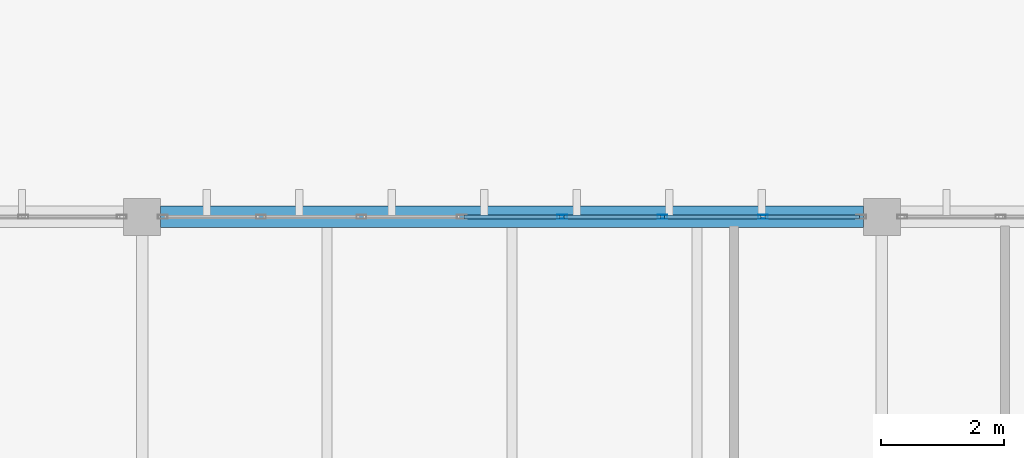
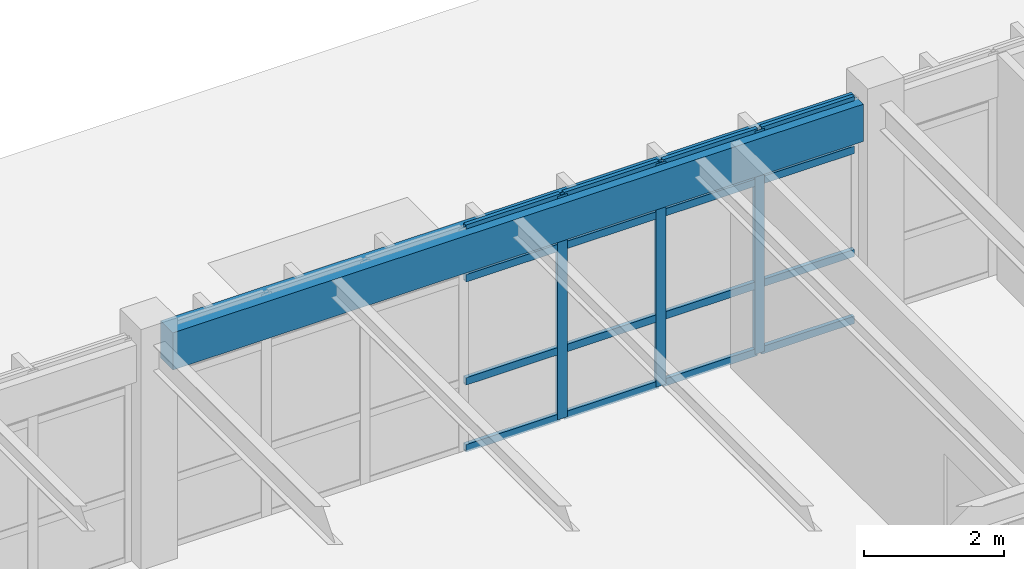
# One storey, part 54 of 83: 19 members, 1 beam, 1 element without a shape of its own.
"""IFC4 building model written with IfcOpenShell, lengths in metres."""

import ifcopenshell
import ifcopenshell.guid

model = None  # the IFC model being written
_history = None  # IfcOwnerHistory: only IFC2X3 demands one
_inside = {}  # id of a spatial element -> (the spatial element, [elements in it])
_under = {}  # id of a project, library or spatial element -> (it, [spatial elements below it])
_declared = {}  # id of a project -> (the project, [libraries it declares])
_typed = {}  # id of a type object -> (the type object, [elements of that type])
_made_of = {}  # id of a material, layer set ... -> (it, [elements and type objects made of it])


def new_model(schema):
    """Start an empty IFC model of exactly this schema.

    Asked for "IFC4X3", IfcOpenShell would pick the latest addendum, in which some entities
    have other attributes; the version numbers below select the first issue.
    IFC2X3 requires an IfcOwnerHistory on every rooted entity: one is made here for all.
    """
    global model, _history
    if schema == "IFC4X3":
        model = ifcopenshell.file(schema_version=(4, 3, 0, 0))
    else:
        model = ifcopenshell.file(schema=schema)
    _inside.clear()
    _under.clear()
    _declared.clear()
    _typed.clear()
    _made_of.clear()
    _history = None
    if model.schema == "IFC2X3":
        org = make("IfcOrganization", Name="unknown")
        user = make(
            "IfcPersonAndOrganization",
            ThePerson=make("IfcPerson", FamilyName="unknown"),
            TheOrganization=org,
        )
        app = make(
            "IfcApplication",
            ApplicationDeveloper=org,
            Version="unknown",
            ApplicationFullName="unknown",
            ApplicationIdentifier="unknown",
        )
        _history = make(
            "IfcOwnerHistory",
            OwningUser=user,
            OwningApplication=app,
            ChangeAction="ADDED",
            CreationDate=0,
        )
    return model


def make(cls, **values):
    """One entity of the class cls with the attributes given. An attribute that is None is left unset."""
    return model.create_entity(
        cls, **{name: value for name, value in values.items() if value is not None}
    )


def rooted(cls, **values):
    """An entity with a GlobalId (a new one), such as an element, a storey or a relation."""
    return make(cls, GlobalId=ifcopenshell.guid.new(), OwnerHistory=_history, **values)


def si_unit(unit_type, name, prefix=None):
    """IfcSIUnit, for example si_unit("LENGTHUNIT", "METRE", prefix="MILLI")."""
    return make("IfcSIUnit", UnitType=unit_type, Prefix=prefix, Name=name)


def assignment(units):
    """IfcUnitAssignment: the units of a project."""
    return None if units is None else make("IfcUnitAssignment", Units=units)


def point(xyz):
    """IfcCartesianPoint."""
    return None if xyz is None else make("IfcCartesianPoint", Coordinates=xyz)


def direction(xyz):
    """IfcDirection."""
    return None if xyz is None else make("IfcDirection", DirectionRatios=xyz)


def frame(location, z_axis=None, x_axis=None):
    """IfcAxis2Placement3D, a coordinate frame: its origin and axes. An axis left out is left unset."""
    return make(
        "IfcAxis2Placement3D",
        Location=point(location),
        Axis=direction(z_axis),
        RefDirection=direction(x_axis),
    )


def frame_2d(location, x_axis=None):
    """IfcAxis2Placement2D, a coordinate frame in the plane: its origin and x axis."""
    return make(
        "IfcAxis2Placement2D", Location=point(location), RefDirection=direction(x_axis)
    )


def origin():
    """The frame at (0, 0, 0) with its axes left unset."""
    return frame((0.0, 0.0, 0.0))


def origin_2d():
    """The frame at (0, 0) in the plane with its x axis left unset."""
    return frame_2d((0.0, 0.0))


def place(relative_to, where):
    """IfcLocalPlacement: puts the frame where relative to a parent placement (None: the world)."""
    return make(
        "IfcLocalPlacement", PlacementRelTo=relative_to, RelativePlacement=where
    )


def context(
    kind, dimensions, precision=None, world=None, true_north=None, identifier=None
):
    """IfcGeometricRepresentationContext, for example the 3D "Model" context."""
    return make(
        "IfcGeometricRepresentationContext",
        ContextIdentifier=identifier,
        ContextType=kind,
        CoordinateSpaceDimension=dimensions,
        Precision=precision,
        WorldCoordinateSystem=world,
        TrueNorth=true_north,
    )


def subcontext(parent, identifier, kind, view, scale=None):
    """IfcGeometricRepresentationSubContext, for example "Body" below "Model"."""
    return make(
        "IfcGeometricRepresentationSubContext",
        ContextIdentifier=identifier,
        ContextType=kind,
        ParentContext=parent,
        TargetScale=scale,
        TargetView=view,
    )


def project(units=None, contexts=None):
    """IfcProject with its units and contexts."""
    return rooted(
        "IfcProject",
        Name="project",
        RepresentationContexts=contexts,
        UnitsInContext=assignment(units),
    )


def spatial(cls, under=None, at=None, **own):
    """A site, building, storey or space (cls), placed at a placement, below another one or the project."""
    s = rooted(cls, ObjectPlacement=at, **own)
    if under is not None:
        _under.setdefault(under.id(), (under, []))[1].append(s)
    return s


def profile(cls, at=None, kind="AREA", **sizes):
    """A parametric profile (cls). Its sizes go by their IFC names, for example OverallWidth=200.0."""
    return make(cls, ProfileType=kind, Position=at, **sizes)


def rectangle(**sizes):
    """IfcRectangleProfileDef."""
    return profile("IfcRectangleProfileDef", **sizes)


def hollow_rectangle(**sizes):
    """IfcRectangleHollowProfileDef."""
    return profile("IfcRectangleHollowProfileDef", **sizes)


def extrude(swept, where, along, depth):
    """IfcExtrudedAreaSolid: the profile swept, set in the frame where, extruded along a direction by depth."""
    return make(
        "IfcExtrudedAreaSolid",
        SweptArea=swept,
        Position=where,
        ExtrudedDirection=direction(along),
        Depth=depth,
    )


def shape(context_of_items, identifier, shape_type, items):
    """IfcShapeRepresentation: the items that make up one representation, for example the "Body"."""
    return make(
        "IfcShapeRepresentation",
        ContextOfItems=context_of_items,
        RepresentationIdentifier=identifier,
        RepresentationType=shape_type,
        Items=items,
    )


def material(Name=None, Category=None):
    """IfcMaterial."""
    return make("IfcMaterial", Name=Name, Category=Category)


def layer(
    of_material, thickness, ventilated=None, Name=None, Category=None, Priority=None
):
    """IfcMaterialLayer: one layer of a wall or slab, of a material (None: an air gap)."""
    return make(
        "IfcMaterialLayer",
        Material=of_material,
        LayerThickness=thickness,
        IsVentilated=ventilated,
        Name=Name,
        Category=Category,
        Priority=Priority,
    )


def layer_set(layers, Name=None):
    """IfcMaterialLayerSet."""
    return make("IfcMaterialLayerSet", MaterialLayers=layers, LayerSetName=Name)


def material_profile(
    of_material, cross_section, Name=None, Category=None, Priority=None
):
    """IfcMaterialProfile: a cross section and its material."""
    return make(
        "IfcMaterialProfile",
        Name=Name,
        Material=of_material,
        Profile=cross_section,
        Priority=Priority,
        Category=Category,
    )


def profile_set(profiles, Name=None, composite=None):
    """IfcMaterialProfileSet."""
    return make(
        "IfcMaterialProfileSet",
        Name=Name,
        MaterialProfiles=profiles,
        CompositeProfile=composite,
    )


def made_of(thing, what):
    """Note that an element or type object is made of a material, layer set ...; save() writes the relation."""
    if what is not None:
        _made_of.setdefault(what.id(), (what, []))[1].append(thing)
    return thing


def type_object(cls, material=None, **own):
    """A type object (cls), such as IfcWallType, which elements share."""
    return made_of(rooted(cls, **own), material)


def element(
    cls,
    number,
    at=None,
    inside=None,
    cuts=None,
    type_object=None,
    material=None,
    context=None,
    identifier="Body",
    shape_type=None,
    held_by="IfcProductDefinitionShape",
    body=None,
    shapes=None,
    **own,
):
    """One element of the class cls, such as IfcWall. Its Tag is "e" and its number.

    at: its placement. inside: the storey or other place that contains it. cuts: it is an
    opening in that element (IfcRelVoidsElement). A single representation is given by context,
    identifier, shape_type and body (its items); several are given by shapes. held_by: the class
    of the entity that holds the representations. save() writes the other relations.
    """
    e = rooted(cls, Tag="e%d" % number, ObjectPlacement=at, **own)
    if body is not None:
        shapes = [shape(context, identifier, shape_type, body)]
    if shapes is not None:
        e.Representation = make(held_by, Representations=shapes)
    if inside is not None:
        _inside.setdefault(inside.id(), (inside, []))[1].append(e)
    if cuts is not None:
        rooted(
            "IfcRelVoidsElement", RelatingBuildingElement=cuts, RelatedOpeningElement=e
        )
    if type_object is not None:
        _typed.setdefault(type_object.id(), (type_object, []))[1].append(e)
    return made_of(e, material)


def aggregate(whole, parts):
    """IfcRelAggregates: a whole, such as a stair, and the parts it consists of."""
    return rooted("IfcRelAggregates", RelatingObject=whole, RelatedObjects=parts)


def save(model, path):
    """Write the relations noted so far, then the file.

    IfcRelAggregates (storeys below a building ...), IfcRelContainedInSpatialStructure (elements
    in a storey), IfcRelDefinesByType, IfcRelAssociatesMaterial and IfcRelDeclares: one each for
    every whole, place, type object, material and project.
    """
    for whole, parts in _under.values():
        aggregate(whole, parts)
    for where, things in _inside.values():
        rooted(
            "IfcRelContainedInSpatialStructure",
            RelatedElements=things,
            RelatingStructure=where,
        )
    for kind, things in _typed.values():
        rooted("IfcRelDefinesByType", RelatedObjects=things, RelatingType=kind)
    for what, things in _made_of.values():
        rooted("IfcRelAssociatesMaterial", RelatedObjects=things, RelatingMaterial=what)
    for by, libraries in _declared.values():
        rooted("IfcRelDeclares", RelatingContext=by, RelatedDefinitions=libraries)
    model.write(path)


model = new_model("IFC4")

# Units and contexts
model_context = context("Model", 3, precision=1e-05, world=origin(), true_north=direction((0.0, 1.0)))
body_context = subcontext(model_context, "Body", "Model", "MODEL_VIEW")
ifc_project = project(units=[si_unit("LENGTHUNIT", "METRE"), si_unit("AREAUNIT", "SQUARE_METRE"), si_unit("VOLUMEUNIT", "CUBIC_METRE"), si_unit("PLANEANGLEUNIT", "RADIAN"), si_unit("MASSUNIT", "GRAM", prefix="KILO")], contexts=[model_context])

# Site, building, storey
site_placement = place(None, origin())
site = spatial("IfcSite", under=ifc_project, at=site_placement, CompositionType="ELEMENT")
building_placement = place(site_placement, origin())
building = spatial("IfcBuilding", under=site, at=building_placement, Name="Pandanus Reach Market Hall", CompositionType="ELEMENT")
storey_placement = place(building_placement, frame((0.0, 0.0, 10.199951171875)))
storey = spatial("IfcBuildingStorey", under=building, at=storey_placement, Name="L02", CompositionType="ELEMENT", Elevation=10.199951171875)

# Beam
ifc_material_1 = material(Name="Concrete N40 (40 MPa)", Category="concrete")
ifc_material_profile_1 = material_profile(ifc_material_1, rectangle(XDim=0.35009765625, YDim=0.64990234375, at=origin_2d()), Name="RC350x650", Category="LoadBearing")
ifc_profile_set_1 = profile_set([ifc_material_profile_1], Name="Concrete N40 (40 MPa)")
beam_type = type_object("IfcBeamType", Name="BM-RC350-E", PredefinedType="SPANDREL", material=ifc_profile_set_1)
beam_placement = place(storey_placement, frame((156.298095703125, 86.39990234375, 3.53515625), z_axis=(1.0, 0.0, 0.0), x_axis=(0.0, 1.0, 0.0)))
element("IfcBeam", 1, at=beam_placement, inside=storey, type_object=beam_type, Name="Framing beam BM-RC350-E L02.459", PredefinedType="SPANDREL", context=body_context, shape_type="SweptSolid", body=[
    extrude(rectangle(XDim=0.35009765625, YDim=0.64990234375, at=origin_2d()), origin(), (0.0, 0.0, 1.0), 11.40380859375),
])

# Curtain wall, members
ifc_material_2 = material(Name="Bronze anodised aluminium and low-E glass", Category="aluminium")
ifc_layer = layer(ifc_material_2, 0.159912109375, Name="CW-31")
ifc_layer_set = layer_set([ifc_layer], Name="Bronze anodised aluminium and low-E glass")
curtain_wall_type = type_object("IfcCurtainWallType", Name="CW-31", PredefinedType="NOTDEFINED", material=ifc_layer_set)
curtain_wall_placement = place(storey_placement, origin())
curtain_wall = element("IfcCurtainWall", 2, at=curtain_wall_placement, inside=storey, type_object=curtain_wall_type, Name="Glazed curtain wall CW-31 CW-0103", PredefinedType="NOTDEFINED")
ifc_material_3 = material(Name="Bronze anodised aluminium", Category="aluminium")
ifc_material_profile_2 = material_profile(ifc_material_3, hollow_rectangle(XDim=0.06494140625, YDim=0.159912109375, WallThickness=0.00390625, at=origin_2d()), Name="ALU65x160", Category="LoadBearing")
ifc_profile_set_2 = profile_set([ifc_material_profile_2], Name="Bronze anodised aluminium")
member_type_1 = type_object("IfcMemberType", Name="CW-M1", PredefinedType="MULLION", material=ifc_profile_set_2)
member_1_placement = place(storey_placement, frame((162.814208984375, 86.39990234375, 0.0), z_axis=(0.0, 0.0, 1.0), x_axis=(0.0, 1.0, 0.0)))
member_1 = element("IfcMember", 3, at=member_1_placement, type_object=member_type_1, Name="CW-31 mullion 5", PredefinedType="MULLION", context=body_context, shape_type="SweptSolid", body=[
    extrude(hollow_rectangle(XDim=0.06494140625, YDim=0.159912109375, WallThickness=0.00390625, at=origin_2d()), origin(), (0.0, 0.0, 1.0), 3.900146484375),
])
member_2_placement = place(storey_placement, frame((164.44287109375, 86.39990234375, 0.0), z_axis=(0.0, 0.0, 1.0), x_axis=(0.0, 1.0, 0.0)))
member_2 = element("IfcMember", 4, at=member_2_placement, type_object=member_type_1, Name="CW-31 mullion 6", PredefinedType="MULLION", context=body_context, shape_type="SweptSolid", body=[
    extrude(hollow_rectangle(XDim=0.06494140625, YDim=0.159912109375, WallThickness=0.00390625, at=origin_2d()), origin(), (0.0, 0.0, 1.0), 3.900146484375),
])
member_3_placement = place(storey_placement, frame((166.071533203125, 86.39990234375, 0.0), z_axis=(0.0, 0.0, 1.0), x_axis=(0.0, 1.0, 0.0)))
member_3 = element("IfcMember", 5, at=member_3_placement, type_object=member_type_1, Name="CW-31 mullion 7", PredefinedType="MULLION", context=body_context, shape_type="SweptSolid", body=[
    extrude(hollow_rectangle(XDim=0.06494140625, YDim=0.159912109375, WallThickness=0.00390625, at=origin_2d()), origin(), (0.0, 0.0, 1.0), 3.900146484375),
])
ifc_material_profile_3 = material_profile(ifc_material_3, hollow_rectangle(XDim=0.06494140625, YDim=0.1298828125, WallThickness=0.00390625, at=origin_2d()), Name="ALU65x130", Category="LoadBearing")
ifc_profile_set_3 = profile_set([ifc_material_profile_3], Name="Bronze anodised aluminium")
member_type_2 = type_object("IfcMemberType", Name="CW-T1", PredefinedType="USERDEFINED", material=ifc_profile_set_3)
member_4_placement = place(storey_placement, frame((161.21826171875, 86.39990234375, 0.032470703125), z_axis=(1.0, 0.0, 0.0), x_axis=(0.0, 1.0, 0.0)))
member_4 = element("IfcMember", 6, at=member_4_placement, type_object=member_type_2, Name="CW-31 transom 4.1", ObjectType="TRANSOM", PredefinedType="USERDEFINED", context=body_context, shape_type="SweptSolid", body=[
    extrude(hollow_rectangle(XDim=0.06494140625, YDim=0.1298828125, WallThickness=0.00390625, at=origin_2d()), origin(), (0.0, 0.0, 1.0), 1.5634765625),
])
member_5_placement = place(storey_placement, frame((161.21826171875, 86.39990234375, 1.199951171875), z_axis=(1.0, 0.0, 0.0), x_axis=(0.0, 1.0, 0.0)))
member_5 = element("IfcMember", 7, at=member_5_placement, type_object=member_type_2, Name="CW-31 transom 4.2", ObjectType="TRANSOM", PredefinedType="USERDEFINED", context=body_context, shape_type="SweptSolid", body=[
    extrude(hollow_rectangle(XDim=0.06494140625, YDim=0.1298828125, WallThickness=0.00390625, at=origin_2d()), origin(), (0.0, 0.0, 1.0), 1.5634765625),
])
member_6_placement = place(storey_placement, frame((161.21826171875, 86.39990234375, 3.0), z_axis=(1.0, 0.0, 0.0), x_axis=(0.0, 1.0, 0.0)))
member_6 = element("IfcMember", 8, at=member_6_placement, type_object=member_type_2, Name="CW-31 transom 4.3", ObjectType="TRANSOM", PredefinedType="USERDEFINED", context=body_context, shape_type="SweptSolid", body=[
    extrude(hollow_rectangle(XDim=0.06494140625, YDim=0.1298828125, WallThickness=0.00390625, at=origin_2d()), origin(), (0.0, 0.0, 1.0), 1.5634765625),
])
member_7_placement = place(storey_placement, frame((161.21826171875, 86.39990234375, 3.867431640625), z_axis=(1.0, 0.0, 0.0), x_axis=(0.0, 1.0, 0.0)))
member_7 = element("IfcMember", 9, at=member_7_placement, type_object=member_type_2, Name="CW-31 transom 4.4", ObjectType="TRANSOM", PredefinedType="USERDEFINED", context=body_context, shape_type="SweptSolid", body=[
    extrude(hollow_rectangle(XDim=0.06494140625, YDim=0.1298828125, WallThickness=0.00390625, at=origin_2d()), origin(), (0.0, 0.0, 1.0), 1.5634765625),
])
member_8_placement = place(storey_placement, frame((162.8466796875, 86.39990234375, 0.032470703125), z_axis=(1.0, 0.0, 0.0), x_axis=(0.0, 1.0, 0.0)))
member_8 = element("IfcMember", 10, at=member_8_placement, type_object=member_type_2, Name="CW-31 transom 5.1", ObjectType="TRANSOM", PredefinedType="USERDEFINED", context=body_context, shape_type="SweptSolid", body=[
    extrude(hollow_rectangle(XDim=0.06494140625, YDim=0.1298828125, WallThickness=0.00390625, at=origin_2d()), origin(), (0.0, 0.0, 1.0), 1.563720703125),
])
member_9_placement = place(storey_placement, frame((162.8466796875, 86.39990234375, 1.199951171875), z_axis=(1.0, 0.0, 0.0), x_axis=(0.0, 1.0, 0.0)))
member_9 = element("IfcMember", 11, at=member_9_placement, type_object=member_type_2, Name="CW-31 transom 5.2", ObjectType="TRANSOM", PredefinedType="USERDEFINED", context=body_context, shape_type="SweptSolid", body=[
    extrude(hollow_rectangle(XDim=0.06494140625, YDim=0.1298828125, WallThickness=0.00390625, at=origin_2d()), origin(), (0.0, 0.0, 1.0), 1.563720703125),
])
member_10_placement = place(storey_placement, frame((162.8466796875, 86.39990234375, 3.0), z_axis=(1.0, 0.0, 0.0), x_axis=(0.0, 1.0, 0.0)))
member_10 = element("IfcMember", 12, at=member_10_placement, type_object=member_type_2, Name="CW-31 transom 5.3", ObjectType="TRANSOM", PredefinedType="USERDEFINED", context=body_context, shape_type="SweptSolid", body=[
    extrude(hollow_rectangle(XDim=0.06494140625, YDim=0.1298828125, WallThickness=0.00390625, at=origin_2d()), origin(), (0.0, 0.0, 1.0), 1.563720703125),
])
member_11_placement = place(storey_placement, frame((162.8466796875, 86.39990234375, 3.867431640625), z_axis=(1.0, 0.0, 0.0), x_axis=(0.0, 1.0, 0.0)))
member_11 = element("IfcMember", 13, at=member_11_placement, type_object=member_type_2, Name="CW-31 transom 5.4", ObjectType="TRANSOM", PredefinedType="USERDEFINED", context=body_context, shape_type="SweptSolid", body=[
    extrude(hollow_rectangle(XDim=0.06494140625, YDim=0.1298828125, WallThickness=0.00390625, at=origin_2d()), origin(), (0.0, 0.0, 1.0), 1.563720703125),
])
member_12_placement = place(storey_placement, frame((164.475341796875, 86.39990234375, 0.032470703125), z_axis=(1.0, 0.0, 0.0), x_axis=(0.0, 1.0, 0.0)))
member_12 = element("IfcMember", 14, at=member_12_placement, type_object=member_type_2, Name="CW-31 transom 6.1", ObjectType="TRANSOM", PredefinedType="USERDEFINED", context=body_context, shape_type="SweptSolid", body=[
    extrude(hollow_rectangle(XDim=0.06494140625, YDim=0.1298828125, WallThickness=0.00390625, at=origin_2d()), origin(), (0.0, 0.0, 1.0), 1.5634765625),
])
member_13_placement = place(storey_placement, frame((164.475341796875, 86.39990234375, 1.199951171875), z_axis=(1.0, 0.0, 0.0), x_axis=(0.0, 1.0, 0.0)))
member_13 = element("IfcMember", 15, at=member_13_placement, type_object=member_type_2, Name="CW-31 transom 6.2", ObjectType="TRANSOM", PredefinedType="USERDEFINED", context=body_context, shape_type="SweptSolid", body=[
    extrude(hollow_rectangle(XDim=0.06494140625, YDim=0.1298828125, WallThickness=0.00390625, at=origin_2d()), origin(), (0.0, 0.0, 1.0), 1.5634765625),
])
member_14_placement = place(storey_placement, frame((164.475341796875, 86.39990234375, 3.0), z_axis=(1.0, 0.0, 0.0), x_axis=(0.0, 1.0, 0.0)))
member_14 = element("IfcMember", 16, at=member_14_placement, type_object=member_type_2, Name="CW-31 transom 6.3", ObjectType="TRANSOM", PredefinedType="USERDEFINED", context=body_context, shape_type="SweptSolid", body=[
    extrude(hollow_rectangle(XDim=0.06494140625, YDim=0.1298828125, WallThickness=0.00390625, at=origin_2d()), origin(), (0.0, 0.0, 1.0), 1.5634765625),
])
member_15_placement = place(storey_placement, frame((164.475341796875, 86.39990234375, 3.867431640625), z_axis=(1.0, 0.0, 0.0), x_axis=(0.0, 1.0, 0.0)))
member_15 = element("IfcMember", 17, at=member_15_placement, type_object=member_type_2, Name="CW-31 transom 6.4", ObjectType="TRANSOM", PredefinedType="USERDEFINED", context=body_context, shape_type="SweptSolid", body=[
    extrude(hollow_rectangle(XDim=0.06494140625, YDim=0.1298828125, WallThickness=0.00390625, at=origin_2d()), origin(), (0.0, 0.0, 1.0), 1.5634765625),
])
member_16_placement = place(storey_placement, frame((166.10400390625, 86.39990234375, 0.032470703125), z_axis=(1.0, 0.0, 0.0), x_axis=(0.0, 1.0, 0.0)))
member_16 = element("IfcMember", 18, at=member_16_placement, type_object=member_type_2, Name="CW-31 transom 7.1", ObjectType="TRANSOM", PredefinedType="USERDEFINED", context=body_context, shape_type="SweptSolid", body=[
    extrude(hollow_rectangle(XDim=0.06494140625, YDim=0.1298828125, WallThickness=0.00390625, at=origin_2d()), origin(), (0.0, 0.0, 1.0), 1.531005859375),
])
member_17_placement = place(storey_placement, frame((166.10400390625, 86.39990234375, 1.199951171875), z_axis=(1.0, 0.0, 0.0), x_axis=(0.0, 1.0, 0.0)))
member_17 = element("IfcMember", 19, at=member_17_placement, type_object=member_type_2, Name="CW-31 transom 7.2", ObjectType="TRANSOM", PredefinedType="USERDEFINED", context=body_context, shape_type="SweptSolid", body=[
    extrude(hollow_rectangle(XDim=0.06494140625, YDim=0.1298828125, WallThickness=0.00390625, at=origin_2d()), origin(), (0.0, 0.0, 1.0), 1.531005859375),
])
member_18_placement = place(storey_placement, frame((166.10400390625, 86.39990234375, 3.0), z_axis=(1.0, 0.0, 0.0), x_axis=(0.0, 1.0, 0.0)))
member_18 = element("IfcMember", 20, at=member_18_placement, type_object=member_type_2, Name="CW-31 transom 7.3", ObjectType="TRANSOM", PredefinedType="USERDEFINED", context=body_context, shape_type="SweptSolid", body=[
    extrude(hollow_rectangle(XDim=0.06494140625, YDim=0.1298828125, WallThickness=0.00390625, at=origin_2d()), origin(), (0.0, 0.0, 1.0), 1.531005859375),
])
member_19_placement = place(storey_placement, frame((166.10400390625, 86.39990234375, 3.867431640625), z_axis=(1.0, 0.0, 0.0), x_axis=(0.0, 1.0, 0.0)))
member_19 = element("IfcMember", 21, at=member_19_placement, type_object=member_type_2, Name="CW-31 transom 7.4", ObjectType="TRANSOM", PredefinedType="USERDEFINED", context=body_context, shape_type="SweptSolid", body=[
    extrude(hollow_rectangle(XDim=0.06494140625, YDim=0.1298828125, WallThickness=0.00390625, at=origin_2d()), origin(), (0.0, 0.0, 1.0), 1.531005859375),
])
aggregate(curtain_wall, [member_1, member_2, member_3, member_4, member_5, member_6, member_7, member_8, member_9, member_10, member_11, member_12, member_13, member_14, member_15, member_16, member_17, member_18, member_19])

save(model, "model.ifc")
